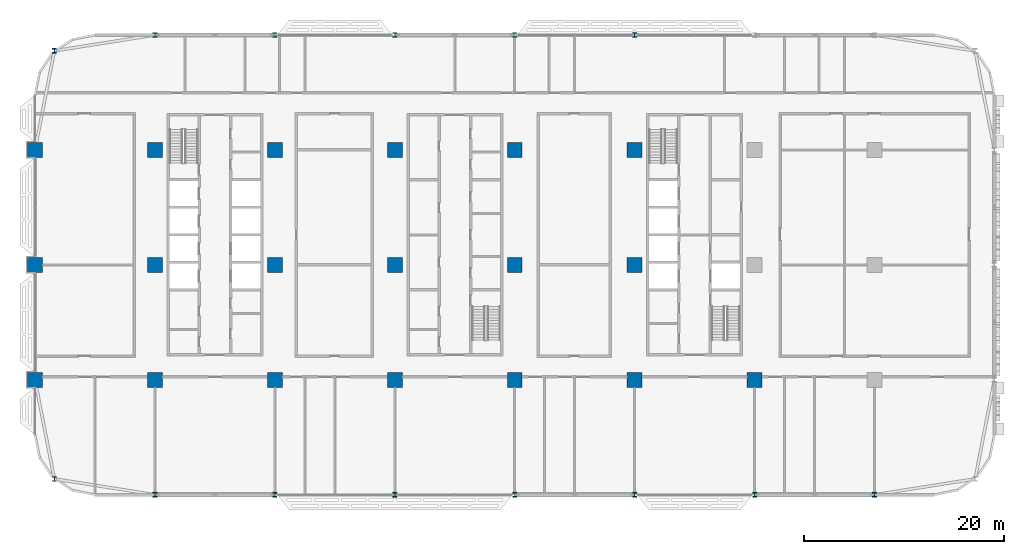
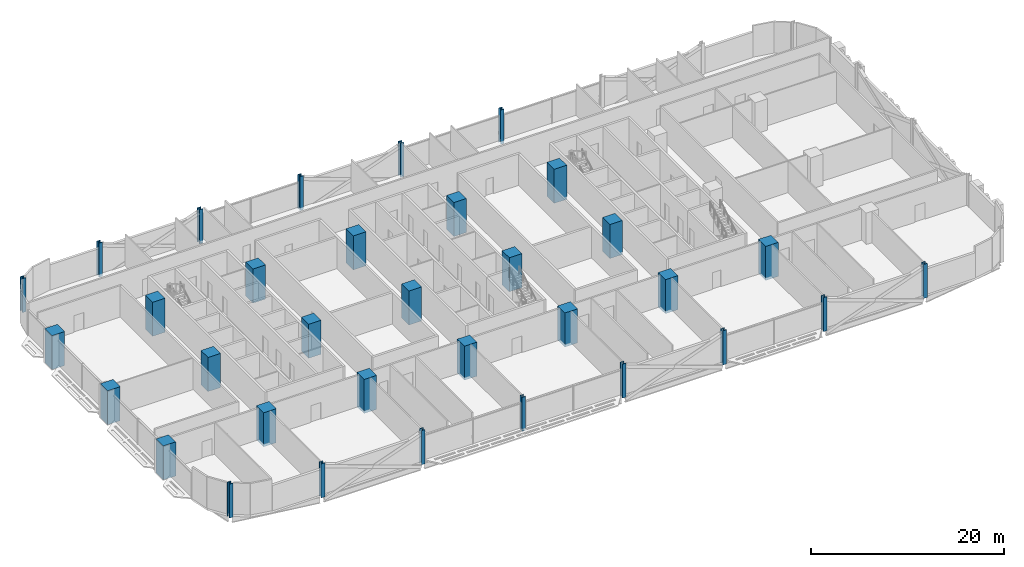
# One storey, part 1 of 29: 33 columns.
"""IFC4 building model written with IfcOpenShell, lengths in metres."""

from ifc_helpers import new_model, si_unit, direction, frame, origin, origin_2d, place, context, subcontext, project, spatial, rectangle, i_section, extrude, material, material_profile, profile_set, type_object, element, save


model = new_model("IFC4")

# Units and contexts
model_context = context("Model", 3, precision=1e-05, world=origin(), true_north=direction((0.0, 1.0)))
body_context = subcontext(model_context, "Body", "Model", "MODEL_VIEW")
ifc_project = project(units=[si_unit("LENGTHUNIT", "METRE"), si_unit("AREAUNIT", "SQUARE_METRE"), si_unit("VOLUMEUNIT", "CUBIC_METRE"), si_unit("PLANEANGLEUNIT", "RADIAN"), si_unit("MASSUNIT", "GRAM", prefix="KILO")], contexts=[model_context])

# Site, building, storey
site_placement = place(None, origin())
site = spatial("IfcSite", under=ifc_project, at=site_placement, CompositionType="ELEMENT")
building_placement = place(site_placement, origin())
building = spatial("IfcBuilding", under=site, at=building_placement, Name="Mahtab Terrace Research Tower", CompositionType="ELEMENT")
storey_placement = place(building_placement, frame((0.0, 0.0, 67.5)))
storey = spatial("IfcBuildingStorey", under=building, at=storey_placement, Name="L15", CompositionType="ELEMENT", Elevation=67.5)

# Columns
ifc_material_1 = material(Name="Concrete C70/85", Category="concrete")
ifc_material_profile_1 = material_profile(ifc_material_1, rectangle(XDim=1.5, YDim=1.5, at=origin_2d()), Name="RC column 1500x1500")
ifc_profile_set_1 = profile_set([ifc_material_profile_1], Name="Concrete C70/85")
column_type_1 = type_object("IfcColumnType", Name="RC column 1500x1500", PredefinedType="COLUMN", material=ifc_profile_set_1)
for number, where, z_axis, x_axis, name in (
    (1, (-42.0, -11.5, -0.340087890625), (0.0, 0.0, 1.0), (1.0, 0.0, 0.0), "Column RC-1A L15"),
    (2, (-42.0, 0.0, -0.340087890625), (0.0, 0.0, 1.0), (1.0, 0.0, 0.0), "Column RC-1B L15"),
    (3, (-42.0, 11.5, -0.340087890625), (0.0, 0.0, 1.0), (1.0, 0.0, 0.0), "Column RC-1C L15"),
    (4, (-30.0, -11.5, -0.340087890625), (0.0, 0.0, 1.0), (1.0, 0.0, 0.0), "Column RC-2A L15"),
    (5, (-30.0, 0.0, -0.340087890625), (0.0, 0.0, 1.0), (1.0, 0.0, 0.0), "Column RC-2B L15"),
    (6, (-30.0, 11.5, -0.340087890625), (0.0, 0.0, 1.0), (1.0, 0.0, 0.0), "Column RC-2C L15"),
    (7, (-18.0, -11.5, -0.340087890625), (0.0, 0.0, 1.0), (1.0, 0.0, 0.0), "Column RC-3A L15"),
    (8, (-18.0, 0.0, -0.340087890625), (0.0, 0.0, 1.0), (1.0, 0.0, 0.0), "Column RC-3B L15"),
    (9, (-18.0, 11.5, -0.340087890625), (0.0, 0.0, 1.0), (1.0, 0.0, 0.0), "Column RC-3C L15"),
    (10, (-6.0, -11.5, -0.340087890625), (0.0, 0.0, 1.0), (1.0, 0.0, 0.0), "Column RC-4A L15"),
    (11, (-6.0, 0.0, -0.340087890625), (0.0, 0.0, 1.0), (1.0, 0.0, 0.0), "Column RC-4B L15"),
    (12, (-6.0, 11.5, -0.340087890625), (0.0, 0.0, 1.0), (1.0, 0.0, 0.0), "Column RC-4C L15"),
    (13, (6.0, -11.5, -0.340087890625), (0.0, 0.0, 1.0), (1.0, 0.0, 0.0), "Column RC-5A L15"),
    (14, (6.0, 0.0, -0.340087890625), (0.0, 0.0, 1.0), (1.0, 0.0, 0.0), "Column RC-5B L15"),
    (15, (6.0, 11.5, -0.340087890625), (0.0, 0.0, 1.0), (1.0, 0.0, 0.0), "Column RC-5C L15"),
    (16, (18.0, -11.5, -0.340087890625), (0.0, 0.0, 1.0), (1.0, 0.0, 0.0), "Column RC-6A L15"),
    (17, (18.0, 0.0, -0.340087890625), (0.0, 0.0, 1.0), (1.0, 0.0, 0.0), "Column RC-6B L15"),
    (18, (18.0, 11.5, -0.340087890625), (0.0, 0.0, 1.0), (1.0, 0.0, 0.0), "Column RC-6C L15"),
    (19, (30.0, -11.5, -0.340087890625), (0.0, 0.0, 1.0), (1.0, 0.0, 0.0), "Column RC-7A L15"),
):
    element("IfcColumn", number, at=place(storey_placement, frame(where, z_axis=z_axis, x_axis=x_axis)), inside=storey, type_object=column_type_1, Name=name, PredefinedType="COLUMN", context=body_context, shape_type="SweptSolid", body=[
        extrude(rectangle(XDim=1.5, YDim=1.5, at=origin_2d()), origin(), (0.0, 0.0, 1.0), 4.300048828125),
    ])
ifc_material_2 = material(Name="Steel ASTM A992 Gr 50", Category="steel")
ifc_material_profile_2 = material_profile(ifc_material_2, i_section(OverallWidth=0.42431640625, OverallDepth=0.47509765625, WebThickness=0.0478515625, FlangeThickness=0.0771484375, at=origin_2d()), Name="W14X426")
ifc_profile_set_2 = profile_set([ifc_material_profile_2], Name="Steel ASTM A992 Gr 50")
column_type_2 = type_object("IfcColumnType", Name="W14x426 column CS14426", PredefinedType="COLUMN", material=ifc_profile_set_2)
for number, where, z_axis, x_axis, name in (
    (20, (18.0, 23.0, -0.340087890625), (0.0, 0.0, 1.0), (1.0, 0.0, 0.0), "Column SC-003 L15"),
    (21, (6.0, 23.0, -0.340087890625), (0.0, 0.0, 1.0), (1.0, 0.0, 0.0), "Column SC-004 L15"),
    (22, (-6.0, 23.0, -0.340087890625), (0.0, 0.0, 1.0), (1.0, 0.0, 0.0), "Column SC-005 L15"),
    (23, (-18.0, 23.0, -0.340087890625), (0.0, 0.0, 1.0), (1.0, 0.0, 0.0), "Column SC-006 L15"),
    (24, (-30.0, 23.0, -0.340087890625), (0.0, 0.0, 1.0), (1.0, 0.0, 0.0), "Column SC-007 L15"),
    (25, (-40.06201171875, 21.416015625, -0.340087890625), (0.0, 0.0, 1.0), (1.0, 0.0, 0.0), "Column SC-024 L15"),
    (26, (-40.06201171875, -21.416015625, -0.340087890625), (0.0, 0.0, 1.0), (1.0, 0.0, 0.0), "Column SC-025 L15"),
    (27, (-30.0, -23.0, -0.340087890625), (0.0, 0.0, 1.0), (1.0, 0.0, 0.0), "Column SC-013 L15"),
    (28, (-18.0, -23.0, -0.340087890625), (0.0, 0.0, 1.0), (1.0, 0.0, 0.0), "Column SC-014 L15"),
    (29, (-6.0, -23.0, -0.340087890625), (0.0, 0.0, 1.0), (1.0, 0.0, 0.0), "Column SC-015 L15"),
    (30, (6.0, -23.0, -0.340087890625), (0.0, 0.0, 1.0), (1.0, 0.0, 0.0), "Column SC-016 L15"),
    (31, (18.0, -23.0, -0.340087890625), (0.0, 0.0, 1.0), (1.0, 0.0, 0.0), "Column SC-017 L15"),
    (32, (30.0, -23.0, -0.340087890625), (0.0, 0.0, 1.0), (1.0, 0.0, 0.0), "Column SC-018 L15"),
    (33, (42.0, -23.0, -0.340087890625), (0.0, 0.0, 1.0), (1.0, 0.0, 0.0), "Column SC-019 L15"),
):
    element("IfcColumn", number, at=place(storey_placement, frame(where, z_axis=z_axis, x_axis=x_axis)), inside=storey, type_object=column_type_2, Name=name, PredefinedType="COLUMN", context=body_context, shape_type="SweptSolid", body=[
        extrude(i_section(OverallWidth=0.42431640625, OverallDepth=0.47509765625, WebThickness=0.0478515625, FlangeThickness=0.0771484375, at=origin_2d()), origin(), (0.0, 0.0, 1.0), 4.300048828125),
    ])

save(model, "model.ifc")
